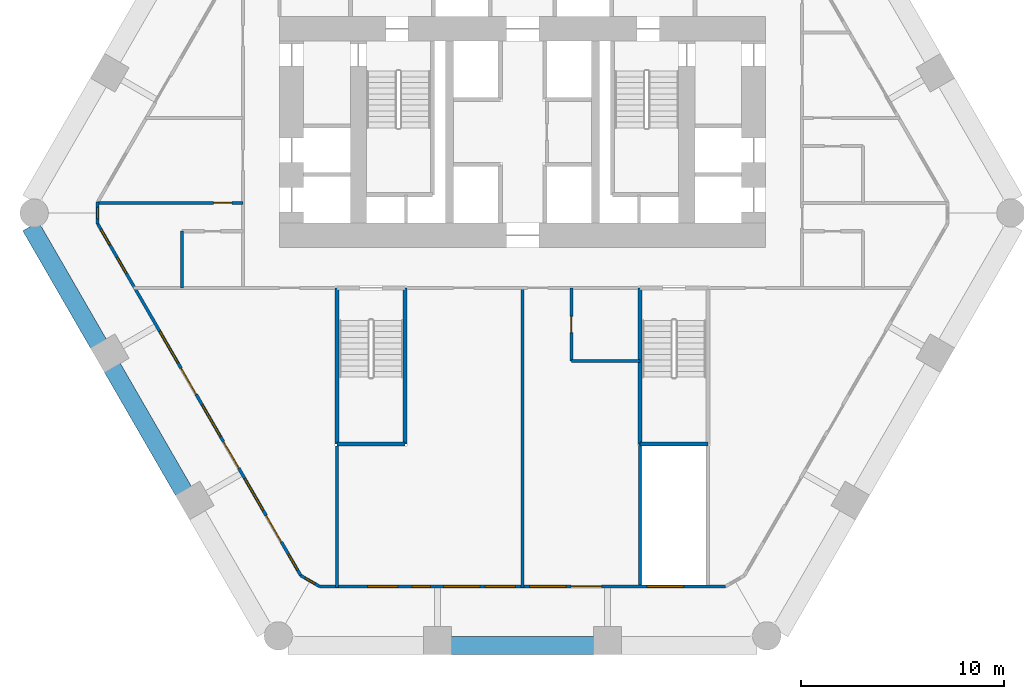
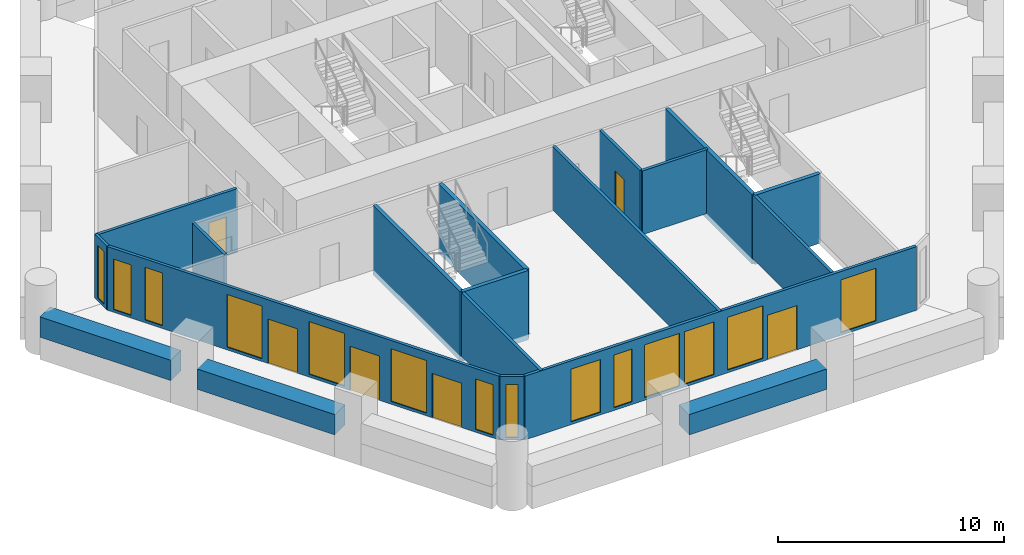
# One storey, part 2 of 8: 19 walls, 14 windows, 6 doors, 20 openings.
"""IFC4 building model written with IfcOpenShell, lengths in metres."""

from ifc_helpers import new_model, si_unit, direction, frame, frame_2d, origin, place, context, subcontext, project, spatial, rectangle, extrude, material, layer, layer_set, type_object, element, fill, save


model = new_model("IFC4")

# Units and contexts
model_context = context("Model", 3, precision=1e-05, world=origin(), true_north=direction((0.0, 1.0)))
body_context = subcontext(model_context, "Body", "Model", "MODEL_VIEW")
ifc_project = project(units=[si_unit("LENGTHUNIT", "METRE"), si_unit("AREAUNIT", "SQUARE_METRE"), si_unit("VOLUMEUNIT", "CUBIC_METRE"), si_unit("PLANEANGLEUNIT", "RADIAN"), si_unit("MASSUNIT", "GRAM", prefix="KILO")], contexts=[model_context])

# Site, building, storey
site_placement = place(None, origin())
site = spatial("IfcSite", under=ifc_project, at=site_placement, CompositionType="ELEMENT")
building_placement = place(site_placement, origin())
building = spatial("IfcBuilding", under=site, at=building_placement, Name="Ostrander Bayou Hotel Tower", CompositionType="ELEMENT")
storey_placement = place(building_placement, frame((0.0, 0.0, 28.0)))
storey = spatial("IfcBuildingStorey", under=building, at=storey_placement, Name="L06", CompositionType="ELEMENT", Elevation=28.0)

# Wall, openings, doors, windows
ifc_material_1 = material(Name="Aluminium framed insulated wall", Category="aluminium")
ifc_layer_1 = layer(ifc_material_1, 0.14990234375)
ifc_layer_set_1 = layer_set([ifc_layer_1], Name="GW1 glass-line wall 150 mm")
wall_type_1 = type_object("IfcWallType", Name="GW1 glass-line wall 150 mm", PredefinedType="SOLIDWALL", material=ifc_layer_set_1)
wall_1_placement = place(storey_placement, frame((-20.968017578125, -0.532470703125, 0.0), z_axis=(0.0, 0.0, 1.0), x_axis=(0.500003237297, -0.866023534722, 0.0)))
wall_1 = element("IfcWall", 1, at=wall_1_placement, inside=storey, type_object=wall_type_1, Name="GW1 L06 SW 1", PredefinedType="SOLIDWALL", context=body_context, shape_type="SweptSolid", body=[
    extrude(rectangle(XDim=20.045654296875, YDim=0.14990234375, at=frame_2d((10.02294921875, 0.0))), origin(), (0.0, 0.0, 1.0), 3.449951171875),
])
opening_1_placement = place(wall_1_placement, frame((1.9228515625, 0.0, 0.14990234375)))
opening_1 = element("IfcOpeningElement", 2, at=opening_1_placement, cuts=wall_1, Name="Opening W15", PredefinedType="OPENING", context=body_context, shape_type="SweptSolid", body=[
    extrude(rectangle(XDim=0.89990234375, YDim=2.85009765625, at=frame_2d((0.449951171875, 1.425048828125))), frame((0.0, 0.074951171875, 0.0), z_axis=(0.0, -1.0, 0.0), x_axis=(1.0, 0.0, 0.0)), (0.0, 0.0, 1.0), 0.14990234375),
])
opening_2_placement = place(wall_1_placement, frame((6.122802734375, 0.0, 0.14990234375)))
opening_2 = element("IfcOpeningElement", 3, at=opening_2_placement, cuts=wall_1, Name="Opening W1", PredefinedType="OPENING", context=body_context, shape_type="SweptSolid", body=[
    extrude(rectangle(XDim=1.800048828125, YDim=2.85009765625, at=frame_2d((0.89990234375, 1.425048828125))), frame((0.0, 0.074951171875, 0.0), z_axis=(0.0, -1.0, 0.0), x_axis=(1.0, 0.0, 0.0)), (0.0, 0.0, 1.0), 0.14990234375),
])
opening_3_placement = place(wall_1_placement, frame((8.222900390625, 0.0, 0.0)))
opening_3 = element("IfcOpeningElement", 4, at=opening_3_placement, cuts=wall_1, Name="Opening T06-801", PredefinedType="OPENING", context=body_context, shape_type="SweptSolid", body=[
    extrude(rectangle(XDim=1.5, YDim=2.39990234375, at=frame_2d((0.75, 1.199951171875))), frame((0.0, 0.074951171875, 0.0), z_axis=(0.0, -1.0, 0.0), x_axis=(1.0, 0.0, 0.0)), (0.0, 0.0, 1.0), 0.14990234375),
])
opening_4_placement = place(wall_1_placement, frame((10.32275390625, 0.0, 0.14990234375)))
opening_4 = element("IfcOpeningElement", 5, at=opening_4_placement, cuts=wall_1, Name="Opening W1", PredefinedType="OPENING", context=body_context, shape_type="SweptSolid", body=[
    extrude(rectangle(XDim=1.800048828125, YDim=2.85009765625, at=frame_2d((0.89990234375, 1.425048828125))), frame((0.0, 0.074951171875, 0.0), z_axis=(0.0, -1.0, 0.0), x_axis=(1.0, 0.0, 0.0)), (0.0, 0.0, 1.0), 0.14990234375),
])
opening_5_placement = place(wall_1_placement, frame((12.4228515625, 0.0, 0.0)))
opening_5 = element("IfcOpeningElement", 6, at=opening_5_placement, cuts=wall_1, Name="Opening T06-802", PredefinedType="OPENING", context=body_context, shape_type="SweptSolid", body=[
    extrude(rectangle(XDim=1.5, YDim=2.39990234375, at=frame_2d((0.75, 1.199951171875))), frame((0.0, 0.074951171875, 0.0), z_axis=(0.0, -1.0, 0.0), x_axis=(1.0, 0.0, 0.0)), (0.0, 0.0, 1.0), 0.14990234375),
])
opening_6_placement = place(wall_1_placement, frame((14.522705078125, 0.0, 0.14990234375)))
opening_6 = element("IfcOpeningElement", 7, at=opening_6_placement, cuts=wall_1, Name="Opening W1", PredefinedType="OPENING", context=body_context, shape_type="SweptSolid", body=[
    extrude(rectangle(XDim=1.800048828125, YDim=2.85009765625, at=frame_2d((0.89990234375, 1.425048828125))), frame((0.0, 0.074951171875, 0.0), z_axis=(0.0, -1.0, 0.0), x_axis=(1.0, 0.0, 0.0)), (0.0, 0.0, 1.0), 0.14990234375),
])
opening_7_placement = place(wall_1_placement, frame((16.622802734375, 0.0, 0.0)))
opening_7 = element("IfcOpeningElement", 8, at=opening_7_placement, cuts=wall_1, Name="Opening T06-803", PredefinedType="OPENING", context=body_context, shape_type="SweptSolid", body=[
    extrude(rectangle(XDim=1.5, YDim=2.39990234375, at=frame_2d((0.75, 1.199951171875))), frame((0.0, 0.074951171875, 0.0), z_axis=(0.0, -1.0, 0.0), x_axis=(1.0, 0.0, 0.0)), (0.0, 0.0, 1.0), 0.14990234375),
])
opening_8_placement = place(wall_1_placement, frame((0.311279296875, 0.0, 0.14990234375)))
opening_8 = element("IfcOpeningElement", 9, at=opening_8_placement, cuts=wall_1, Name="Opening W15", PredefinedType="OPENING", context=body_context, shape_type="SweptSolid", body=[
    extrude(rectangle(XDim=0.89990234375, YDim=2.72998046875, at=frame_2d((0.449951171875, 1.364990234375))), frame((0.0, 0.074951171875, 0.0), z_axis=(0.0, -1.0, 0.0), x_axis=(1.0, 0.0, 0.0)), (0.0, 0.0, 1.0), 0.14990234375),
])
opening_9_placement = place(wall_1_placement, frame((18.834228515625, 0.0, 0.14990234375)))
opening_9 = element("IfcOpeningElement", 10, at=opening_9_placement, cuts=wall_1, Name="Opening W15", PredefinedType="OPENING", context=body_context, shape_type="SweptSolid", body=[
    extrude(rectangle(XDim=0.89990234375, YDim=2.72998046875, at=frame_2d((0.449951171875, 1.364990234375))), frame((0.0, 0.074951171875, 0.0), z_axis=(0.0, -1.0, 0.0), x_axis=(1.0, 0.0, 0.0)), (0.0, 0.0, 1.0), 0.14990234375),
])
ifc_material_2 = material(Name="Aluminium and clear glass", Category="aluminium")
door_type_1 = type_object("IfcDoorType", Name="SD1 sliding glass door 1500 mm, zone 1", OperationType="SLIDING_TO_LEFT", PredefinedType="DOOR", material=ifc_material_2)
door_1_placement = place(opening_3_placement, origin())
door_1 = element("IfcDoor", 11, at=door_1_placement, inside=storey, type_object=door_type_1, Name="SD1 L06 SW 2", OperationType="SLIDING_TO_RIGHT", OverallHeight=2.39990234375, OverallWidth=1.5, PredefinedType="DOOR", context=body_context, shape_type="SweptSolid", body=[
    extrude(rectangle(XDim=1.5, YDim=2.39990234375, at=frame_2d((0.75, 1.199951171875))), frame((0.0, 0.02490234375, 0.0), z_axis=(0.0, -1.0, 0.0), x_axis=(1.0, 0.0, 0.0)), (0.0, 0.0, 1.0), 0.050048828125),
])
fill(opening_3, door_1)
door_2_placement = place(opening_5_placement, origin())
door_2 = element("IfcDoor", 12, at=door_2_placement, inside=storey, type_object=door_type_1, Name="SD1 L06 SW 3", OperationType="SLIDING_TO_LEFT", OverallHeight=2.39990234375, OverallWidth=1.5, PredefinedType="DOOR", context=body_context, shape_type="SweptSolid", body=[
    extrude(rectangle(XDim=1.5, YDim=2.39990234375, at=frame_2d((0.75, 1.199951171875))), frame((0.0, 0.02490234375, 0.0), z_axis=(0.0, -1.0, 0.0), x_axis=(1.0, 0.0, 0.0)), (0.0, 0.0, 1.0), 0.050048828125),
])
fill(opening_5, door_2)
door_3_placement = place(opening_7_placement, origin())
door_3 = element("IfcDoor", 13, at=door_3_placement, inside=storey, type_object=door_type_1, Name="SD1 L06 SW 4", OperationType="SLIDING_TO_RIGHT", OverallHeight=2.39990234375, OverallWidth=1.5, PredefinedType="DOOR", context=body_context, shape_type="SweptSolid", body=[
    extrude(rectangle(XDim=1.5, YDim=2.39990234375, at=frame_2d((0.75, 1.199951171875))), frame((0.0, 0.02490234375, 0.0), z_axis=(0.0, -1.0, 0.0), x_axis=(1.0, 0.0, 0.0)), (0.0, 0.0, 1.0), 0.050048828125),
])
fill(opening_7, door_3)
ifc_material_3 = material(Name="Aluminium and clear glass", Category="aluminium")
window_type_1 = type_object("IfcWindowType", Name="W1 fixed window 1800 mm, zone 1", PartitioningType="SINGLE_PANEL", PredefinedType="WINDOW", material=ifc_material_3)
window_1_placement = place(opening_2_placement, origin())
window_1 = element("IfcWindow", 14, at=window_1_placement, inside=storey, type_object=window_type_1, Name="W1 L06 SW 2", OverallHeight=2.85009765625, OverallWidth=1.800048828125, PartitioningType="SINGLE_PANEL", PredefinedType="WINDOW", context=body_context, shape_type="SweptSolid", body=[
    extrude(rectangle(XDim=1.800048828125, YDim=2.85009765625, at=frame_2d((0.89990234375, 1.425048828125))), frame((0.0, 0.030029296875, 0.0), z_axis=(0.0, -1.0, 0.0), x_axis=(1.0, 0.0, 0.0)), (0.0, 0.0, 1.0), 0.06005859375),
])
fill(opening_2, window_1)
window_2_placement = place(opening_4_placement, origin())
window_2 = element("IfcWindow", 15, at=window_2_placement, inside=storey, type_object=window_type_1, Name="W1 L06 SW 3", OverallHeight=2.85009765625, OverallWidth=1.800048828125, PartitioningType="SINGLE_PANEL", PredefinedType="WINDOW", context=body_context, shape_type="SweptSolid", body=[
    extrude(rectangle(XDim=1.800048828125, YDim=2.85009765625, at=frame_2d((0.89990234375, 1.425048828125))), frame((0.0, 0.030029296875, 0.0), z_axis=(0.0, -1.0, 0.0), x_axis=(1.0, 0.0, 0.0)), (0.0, 0.0, 1.0), 0.06005859375),
])
fill(opening_4, window_2)
window_3_placement = place(opening_6_placement, origin())
window_3 = element("IfcWindow", 16, at=window_3_placement, inside=storey, type_object=window_type_1, Name="W1 L06 SW 4", OverallHeight=2.85009765625, OverallWidth=1.800048828125, PartitioningType="SINGLE_PANEL", PredefinedType="WINDOW", context=body_context, shape_type="SweptSolid", body=[
    extrude(rectangle(XDim=1.800048828125, YDim=2.85009765625, at=frame_2d((0.89990234375, 1.425048828125))), frame((0.0, 0.030029296875, 0.0), z_axis=(0.0, -1.0, 0.0), x_axis=(1.0, 0.0, 0.0)), (0.0, 0.0, 1.0), 0.06005859375),
])
fill(opening_6, window_3)
ifc_material_4 = material(Name="Aluminium and clear glass", Category="aluminium")
window_type_2 = type_object("IfcWindowType", Name="W15 window 900 mm, zone 1", PartitioningType="SINGLE_PANEL", PredefinedType="WINDOW", material=ifc_material_4)
window_4_placement = place(opening_1_placement, origin())
window_4 = element("IfcWindow", 17, at=window_4_placement, inside=storey, type_object=window_type_2, Name="W15 L06 SW 1", OverallHeight=2.85009765625, OverallWidth=0.89990234375, PartitioningType="SINGLE_PANEL", PredefinedType="WINDOW", context=body_context, shape_type="SweptSolid", body=[
    extrude(rectangle(XDim=0.89990234375, YDim=2.85009765625, at=frame_2d((0.449951171875, 1.425048828125))), frame((0.0, 0.030029296875, 0.0), z_axis=(0.0, -1.0, 0.0), x_axis=(1.0, 0.0, 0.0)), (0.0, 0.0, 1.0), 0.06005859375),
])
fill(opening_1, window_4)
window_5_placement = place(opening_8_placement, origin())
window_5 = element("IfcWindow", 18, at=window_5_placement, inside=storey, type_object=window_type_2, Name="W15 L06 SW E11", OverallHeight=2.72998046875, OverallWidth=0.89990234375, PartitioningType="SINGLE_PANEL", PredefinedType="WINDOW", context=body_context, shape_type="SweptSolid", body=[
    extrude(rectangle(XDim=0.89990234375, YDim=2.72998046875, at=frame_2d((0.449951171875, 1.364990234375))), frame((0.0, 0.030029296875, 0.0), z_axis=(0.0, -1.0, 0.0), x_axis=(1.0, 0.0, 0.0)), (0.0, 0.0, 1.0), 0.06005859375),
])
fill(opening_8, window_5)
window_6_placement = place(opening_9_placement, origin())
window_6 = element("IfcWindow", 19, at=window_6_placement, inside=storey, type_object=window_type_2, Name="W15 L06 SW E21", OverallHeight=2.72998046875, OverallWidth=0.89990234375, PartitioningType="SINGLE_PANEL", PredefinedType="WINDOW", context=body_context, shape_type="SweptSolid", body=[
    extrude(rectangle(XDim=0.89990234375, YDim=2.72998046875, at=frame_2d((0.449951171875, 1.364990234375))), frame((0.0, 0.030029296875, 0.0), z_axis=(0.0, -1.0, 0.0), x_axis=(1.0, 0.0, 0.0)), (0.0, 0.0, 1.0), 0.06005859375),
])
fill(opening_9, window_6)

# Wall, openings, door, windows
wall_2_placement = place(storey_placement, frame((-10.022705078125, -18.425048828125, 0.0), z_axis=(0.0, 0.0, 1.0), x_axis=(1.0, 0.0, 0.0)))
wall_2 = element("IfcWall", 20, at=wall_2_placement, inside=storey, type_object=wall_type_1, Name="GW1 L06 S 1", PredefinedType="SOLIDWALL", context=body_context, shape_type="SweptSolid", body=[
    extrude(rectangle(XDim=20.04541015625, YDim=0.14990234375, at=frame_2d((10.022705078125, 0.0))), origin(), (0.0, 0.0, 1.0), 3.449951171875),
])
opening_10_placement = place(wall_2_placement, frame((4.57275390625, 0.0, 0.14990234375)))
opening_10 = element("IfcOpeningElement", 21, at=opening_10_placement, cuts=wall_2, Name="Opening W15", PredefinedType="OPENING", context=body_context, shape_type="SweptSolid", body=[
    extrude(rectangle(XDim=0.89990234375, YDim=2.85009765625, at=frame_2d((0.449951171875, 1.425048828125))), frame((0.0, 0.074951171875, 0.0), z_axis=(0.0, -1.0, 0.0), x_axis=(1.0, 0.0, 0.0)), (0.0, 0.0, 1.0), 0.14990234375),
])
opening_11_placement = place(wall_2_placement, frame((2.372802734375, 0.0, 0.14990234375)))
opening_11 = element("IfcOpeningElement", 22, at=opening_11_placement, cuts=wall_2, Name="Opening W11", PredefinedType="OPENING", context=body_context, shape_type="SweptSolid", body=[
    extrude(rectangle(XDim=1.5, YDim=2.85009765625, at=frame_2d((0.75, 1.425048828125))), frame((0.0, 0.074951171875, 0.0), z_axis=(0.0, -1.0, 0.0), x_axis=(1.0, 0.0, 0.0)), (0.0, 0.0, 1.0), 0.14990234375),
])
opening_12_placement = place(wall_2_placement, frame((6.122802734375, 0.0, 0.14990234375)))
opening_12 = element("IfcOpeningElement", 23, at=opening_12_placement, cuts=wall_2, Name="Opening W1", PredefinedType="OPENING", context=body_context, shape_type="SweptSolid", body=[
    extrude(rectangle(XDim=1.800048828125, YDim=2.85009765625, at=frame_2d((0.89990234375, 1.425048828125))), frame((0.0, 0.074951171875, 0.0), z_axis=(0.0, -1.0, 0.0), x_axis=(1.0, 0.0, 0.0)), (0.0, 0.0, 1.0), 0.14990234375),
])
opening_13_placement = place(wall_2_placement, frame((8.1728515625, 0.0, 0.14990234375)))
opening_13 = element("IfcOpeningElement", 24, at=opening_13_placement, cuts=wall_2, Name="Opening W11", PredefinedType="OPENING", context=body_context, shape_type="SweptSolid", body=[
    extrude(rectangle(XDim=1.5, YDim=2.85009765625, at=frame_2d((0.75, 1.425048828125))), frame((0.0, 0.074951171875, 0.0), z_axis=(0.0, -1.0, 0.0), x_axis=(1.0, 0.0, 0.0)), (0.0, 0.0, 1.0), 0.14990234375),
])
opening_14_placement = place(wall_2_placement, frame((10.372802734375, 0.0, 0.14990234375)))
opening_14 = element("IfcOpeningElement", 25, at=opening_14_placement, cuts=wall_2, Name="Opening W1", PredefinedType="OPENING", context=body_context, shape_type="SweptSolid", body=[
    extrude(rectangle(XDim=1.800048828125, YDim=2.85009765625, at=frame_2d((0.89990234375, 1.425048828125))), frame((0.0, 0.074951171875, 0.0), z_axis=(0.0, -1.0, 0.0), x_axis=(1.0, 0.0, 0.0)), (0.0, 0.0, 1.0), 0.14990234375),
])
opening_15_placement = place(wall_2_placement, frame((12.4228515625, 0.0, 0.0)))
opening_15 = element("IfcOpeningElement", 26, at=opening_15_placement, cuts=wall_2, Name="Opening T06-804", PredefinedType="OPENING", context=body_context, shape_type="SweptSolid", body=[
    extrude(rectangle(XDim=1.5, YDim=2.39990234375, at=frame_2d((0.75, 1.199951171875))), frame((0.0, 0.074951171875, 0.0), z_axis=(0.0, -1.0, 0.0), x_axis=(1.0, 0.0, 0.0)), (0.0, 0.0, 1.0), 0.14990234375),
])
opening_16_placement = place(wall_2_placement, frame((16.1728515625, 0.0, 0.14990234375)))
opening_16 = element("IfcOpeningElement", 27, at=opening_16_placement, cuts=wall_2, Name="Opening W1", PredefinedType="OPENING", context=body_context, shape_type="SweptSolid", body=[
    extrude(rectangle(XDim=1.800048828125, YDim=2.85009765625, at=frame_2d((0.89990234375, 1.425048828125))), frame((0.0, 0.074951171875, 0.0), z_axis=(0.0, -1.0, 0.0), x_axis=(1.0, 0.0, 0.0)), (0.0, 0.0, 1.0), 0.14990234375),
])
door_4_placement = place(opening_15_placement, origin())
door_4 = element("IfcDoor", 28, at=door_4_placement, inside=storey, type_object=door_type_1, Name="SD1 L06 S 3", OperationType="SLIDING_TO_LEFT", OverallHeight=2.39990234375, OverallWidth=1.5, PredefinedType="DOOR", context=body_context, shape_type="SweptSolid", body=[
    extrude(rectangle(XDim=1.5, YDim=2.39990234375, at=frame_2d((0.75, 1.199951171875))), frame((0.0, 0.02490234375, 0.0), z_axis=(0.0, -1.0, 0.0), x_axis=(1.0, 0.0, 0.0)), (0.0, 0.0, 1.0), 0.050048828125),
])
fill(opening_15, door_4)
window_7_placement = place(opening_12_placement, origin())
window_7 = element("IfcWindow", 29, at=window_7_placement, inside=storey, type_object=window_type_1, Name="W1 L06 S 2", OverallHeight=2.85009765625, OverallWidth=1.800048828125, PartitioningType="SINGLE_PANEL", PredefinedType="WINDOW", context=body_context, shape_type="SweptSolid", body=[
    extrude(rectangle(XDim=1.800048828125, YDim=2.85009765625, at=frame_2d((0.89990234375, 1.425048828125))), frame((0.0, 0.030029296875, 0.0), z_axis=(0.0, -1.0, 0.0), x_axis=(1.0, 0.0, 0.0)), (0.0, 0.0, 1.0), 0.06005859375),
])
fill(opening_12, window_7)
window_8_placement = place(opening_14_placement, origin())
window_8 = element("IfcWindow", 30, at=window_8_placement, inside=storey, type_object=window_type_1, Name="W1 L06 S 3", OverallHeight=2.85009765625, OverallWidth=1.800048828125, PartitioningType="SINGLE_PANEL", PredefinedType="WINDOW", context=body_context, shape_type="SweptSolid", body=[
    extrude(rectangle(XDim=1.800048828125, YDim=2.85009765625, at=frame_2d((0.89990234375, 1.425048828125))), frame((0.0, 0.030029296875, 0.0), z_axis=(0.0, -1.0, 0.0), x_axis=(1.0, 0.0, 0.0)), (0.0, 0.0, 1.0), 0.06005859375),
])
fill(opening_14, window_8)
window_9_placement = place(opening_16_placement, origin())
window_9 = element("IfcWindow", 31, at=window_9_placement, inside=storey, type_object=window_type_1, Name="W1 L06 S 4", OverallHeight=2.85009765625, OverallWidth=1.800048828125, PartitioningType="SINGLE_PANEL", PredefinedType="WINDOW", context=body_context, shape_type="SweptSolid", body=[
    extrude(rectangle(XDim=1.800048828125, YDim=2.85009765625, at=frame_2d((0.89990234375, 1.425048828125))), frame((0.0, 0.030029296875, 0.0), z_axis=(0.0, -1.0, 0.0), x_axis=(1.0, 0.0, 0.0)), (0.0, 0.0, 1.0), 0.06005859375),
])
fill(opening_16, window_9)
ifc_material_5 = material(Name="Aluminium and clear glass", Category="aluminium")
window_type_3 = type_object("IfcWindowType", Name="W11 fixed window 1500 mm, bath bay, zone 1", PartitioningType="SINGLE_PANEL", PredefinedType="WINDOW", material=ifc_material_5)
window_10_placement = place(opening_11_placement, origin())
window_10 = element("IfcWindow", 32, at=window_10_placement, inside=storey, type_object=window_type_3, Name="W11 L06 S 1", OverallHeight=2.85009765625, OverallWidth=1.5, PartitioningType="SINGLE_PANEL", PredefinedType="WINDOW", context=body_context, shape_type="SweptSolid", body=[
    extrude(rectangle(XDim=1.5, YDim=2.85009765625, at=frame_2d((0.75, 1.425048828125))), frame((0.0, 0.030029296875, 0.0), z_axis=(0.0, -1.0, 0.0), x_axis=(1.0, 0.0, 0.0)), (0.0, 0.0, 1.0), 0.06005859375),
])
fill(opening_11, window_10)
window_11_placement = place(opening_13_placement, origin())
window_11 = element("IfcWindow", 33, at=window_11_placement, inside=storey, type_object=window_type_3, Name="W11 L06 S 2", OverallHeight=2.85009765625, OverallWidth=1.5, PartitioningType="SINGLE_PANEL", PredefinedType="WINDOW", context=body_context, shape_type="SweptSolid", body=[
    extrude(rectangle(XDim=1.5, YDim=2.85009765625, at=frame_2d((0.75, 1.425048828125))), frame((0.0, 0.030029296875, 0.0), z_axis=(0.0, -1.0, 0.0), x_axis=(1.0, 0.0, 0.0)), (0.0, 0.0, 1.0), 0.06005859375),
])
fill(opening_13, window_11)
window_12_placement = place(opening_10_placement, origin())
window_12 = element("IfcWindow", 34, at=window_12_placement, inside=storey, type_object=window_type_2, Name="W15 L06 S 1", OverallHeight=2.85009765625, OverallWidth=0.89990234375, PartitioningType="SINGLE_PANEL", PredefinedType="WINDOW", context=body_context, shape_type="SweptSolid", body=[
    extrude(rectangle(XDim=0.89990234375, YDim=2.85009765625, at=frame_2d((0.449951171875, 1.425048828125))), frame((0.0, 0.030029296875, 0.0), z_axis=(0.0, -1.0, 0.0), x_axis=(1.0, 0.0, 0.0)), (0.0, 0.0, 1.0), 0.06005859375),
])
fill(opening_10, window_12)

# Wall, opening, window
wall_3_placement = place(storey_placement, frame((-20.968017578125, 0.532470703125, 0.0), z_axis=(0.0, 0.0, 1.0), x_axis=(0.0, -1.0, 0.0)))
wall_3 = element("IfcWall", 35, at=wall_3_placement, inside=storey, type_object=wall_type_1, Name="GW1 L06 corner 2", PredefinedType="SOLIDWALL", context=body_context, shape_type="SweptSolid", body=[
    extrude(rectangle(XDim=1.06494140625, YDim=0.14990234375, at=frame_2d((0.532470703125, 0.0))), origin(), (0.0, 0.0, 1.0), 3.449951171875),
])
opening_17_placement = place(wall_3_placement, frame((0.257568359375, 0.0, 0.14990234375)))
opening_17 = element("IfcOpeningElement", 36, at=opening_17_placement, cuts=wall_3, Name="Opening W19", PredefinedType="OPENING", context=body_context, shape_type="SweptSolid", body=[
    extrude(rectangle(XDim=0.550048828125, YDim=2.85009765625, at=frame_2d((0.27490234375, 1.425048828125))), frame((0.0, 0.074951171875, 0.0), z_axis=(0.0, -1.0, 0.0), x_axis=(1.0, 0.0, 0.0)), (0.0, 0.0, 1.0), 0.14990234375),
])
ifc_material_6 = material(Name="Aluminium and clear glass", Category="aluminium")
window_type_4 = type_object("IfcWindowType", Name="W19 corner window 550 mm", PartitioningType="SINGLE_PANEL", PredefinedType="WINDOW", material=ifc_material_6)
window_13_placement = place(opening_17_placement, origin())
window_13 = element("IfcWindow", 37, at=window_13_placement, inside=storey, type_object=window_type_4, Name="W19 L06 corner 2", OverallHeight=2.85009765625, OverallWidth=0.550048828125, PartitioningType="SINGLE_PANEL", PredefinedType="WINDOW", context=body_context, shape_type="SweptSolid", body=[
    extrude(rectangle(XDim=0.550048828125, YDim=2.85009765625, at=frame_2d((0.27490234375, 1.425048828125))), frame((0.0, 0.030029296875, 0.0), z_axis=(0.0, -1.0, 0.0), x_axis=(1.0, 0.0, 0.0)), (0.0, 0.0, 1.0), 0.06005859375),
])
fill(opening_17, window_13)

wall_4_placement = place(storey_placement, frame((-10.945068359375, -17.892578125, 0.0), z_axis=(0.0, 0.0, 1.0), x_axis=(0.866048165231, -0.499960573946, 0.0)))
wall_4 = element("IfcWall", 38, at=wall_4_placement, inside=storey, type_object=wall_type_1, Name="GW1 L06 corner 3", PredefinedType="SOLIDWALL", context=body_context, shape_type="SweptSolid", body=[
    extrude(rectangle(XDim=1.06494140625, YDim=0.14990234375, at=frame_2d((0.532470703125, 0.0))), origin(), (0.0, 0.0, 1.0), 3.449951171875),
])
opening_18_placement = place(wall_4_placement, frame((0.257568359375, 0.0, 0.14990234375)))
opening_18 = element("IfcOpeningElement", 39, at=opening_18_placement, cuts=wall_4, Name="Opening W19", PredefinedType="OPENING", context=body_context, shape_type="SweptSolid", body=[
    extrude(rectangle(XDim=0.550048828125, YDim=2.85009765625, at=frame_2d((0.27490234375, 1.425048828125))), frame((0.0, 0.074951171875, 0.0), z_axis=(0.0, -1.0, 0.0), x_axis=(1.0, 0.0, 0.0)), (0.0, 0.0, 1.0), 0.14990234375),
])
window_14_placement = place(opening_18_placement, origin())
window_14 = element("IfcWindow", 40, at=window_14_placement, inside=storey, type_object=window_type_4, Name="W19 L06 corner 3", OverallHeight=2.85009765625, OverallWidth=0.550048828125, PartitioningType="SINGLE_PANEL", PredefinedType="WINDOW", context=body_context, shape_type="SweptSolid", body=[
    extrude(rectangle(XDim=0.550048828125, YDim=2.85009765625, at=frame_2d((0.27490234375, 1.425048828125))), frame((0.0, 0.030029296875, 0.0), z_axis=(0.0, -1.0, 0.0), x_axis=(1.0, 0.0, 0.0)), (0.0, 0.0, 1.0), 0.06005859375),
])
fill(opening_18, window_14)

# Walls
ifc_material_7 = material(Name="Concrete f'c 40 MPa", Category="concrete")
ifc_layer_2 = layer(ifc_material_7, 0.89990234375)
ifc_layer_set_2 = layer_set([ifc_layer_2], Name="PA1 stone-faced parapet 900 mm")
wall_type_2 = type_object("IfcWallType", Name="PA1 stone-faced parapet 900 mm", PredefinedType="PARAPET", material=ifc_layer_set_2)
wall_5_placement = place(storey_placement, frame((-3.525390625, -21.35009765625, 0.0), z_axis=(0.0, 0.0, 1.0), x_axis=(1.0, 0.0, 0.0)))
element("IfcWall", 41, at=wall_5_placement, inside=storey, type_object=wall_type_2, Name="PA1 L06 S-2", PredefinedType="PARAPET", context=body_context, shape_type="SweptSolid", body=[
    extrude(rectangle(XDim=7.05078125, YDim=0.89990234375, at=frame_2d((3.525390625, 0.0))), origin(), (0.0, 0.0, 1.0), 1.10009765625),
])
ifc_material_8 = material(Name="Limestone masonry", Category="masonry")
ifc_layer_3 = layer(ifc_material_8, 0.89990234375)
ifc_layer_set_3 = layer_set([ifc_layer_3], Name="PA2 limestone parapet 900 mm")
wall_type_3 = type_object("IfcWallType", Name="PA2 limestone parapet 900 mm", PredefinedType="PARAPET", material=ifc_layer_set_3)
wall_6_placement = place(storey_placement, frame((-24.274169921875, -0.656005859375, 0.0), z_axis=(0.0, 0.0, 1.0), x_axis=(0.500005133765, -0.866022439784, 0.0)))
element("IfcWall", 42, at=wall_6_placement, inside=storey, type_object=wall_type_3, Name="PA2 L06 SW-1", PredefinedType="PARAPET", context=body_context, shape_type="SweptSolid", body=[
    extrude(rectangle(XDim=6.70361328125, YDim=0.89990234375, at=frame_2d((3.351806640625, 0.0))), origin(), (0.0, 0.0, 1.0), 1.10009765625),
])
wall_7_placement = place(storey_placement, frame((-20.252197265625, -7.621826171875, 0.0), z_axis=(0.0, 0.0, 1.0), x_axis=(0.499997206141, -0.866027016814, 0.0)))
element("IfcWall", 43, at=wall_7_placement, inside=storey, type_object=wall_type_3, Name="PA2 L06 SW-2", PredefinedType="PARAPET", context=body_context, shape_type="SweptSolid", body=[
    extrude(rectangle(XDim=7.05078125, YDim=0.89990234375, at=frame_2d((3.525390625, 0.0))), origin(), (0.0, 0.0, 1.0), 1.10009765625),
])
ifc_material_9 = material(Name="Gypsum board partition", Category="finish")
ifc_layer_4 = layer(ifc_material_9, 0.14990234375)
ifc_layer_set_4 = layer_set([ifc_layer_4], Name="PT7 riser wall 150 mm, 2 hour")
wall_type_4 = type_object("IfcWallType", Name="PT7 riser wall 150 mm, 2 hour", PredefinedType="PARTITIONING", material=ifc_layer_set_4)
wall_8_placement = place(storey_placement, frame((5.800048828125, -11.39990234375, 0.0), z_axis=(0.0, 0.0, 1.0), x_axis=(0.0, -1.0, 0.0)))
element("IfcWall", 44, at=wall_8_placement, inside=storey, type_object=wall_type_4, Name="cs:L06:019", PredefinedType="PARTITIONING", context=body_context, shape_type="SweptSolid", body=[
    extrude(rectangle(XDim=6.9501953125, YDim=0.14990234375, at=frame_2d((3.47509765625, 0.0))), origin(), (0.0, 0.0, 1.0), 3.449951171875),
])
ifc_material_10 = material(Name="Gypsum board partition", Category="finish")
ifc_layer_5 = layer(ifc_material_10, 0.14990234375)
ifc_layer_set_5 = layer_set([ifc_layer_5], Name="PT8 service band wall 150 mm, 1 hour")
wall_type_5 = type_object("IfcWallType", Name="PT8 service band wall 150 mm, 1 hour", PredefinedType="PARTITIONING", material=ifc_layer_set_5)
wall_9_placement = place(storey_placement, frame((2.409912109375, -7.300048828125, 0.0), z_axis=(0.0, 0.0, 1.0), x_axis=(1.0, 0.0, 0.0)))
element("IfcWall", 45, at=wall_9_placement, inside=storey, type_object=wall_type_5, Name="gw:L06:001", PredefinedType="PARTITIONING", context=body_context, shape_type="SweptSolid", body=[
    extrude(rectangle(XDim=3.380126953125, YDim=0.14990234375, at=frame_2d((1.68994140625, 0.0))), origin(), (0.0, 0.0, 1.0), 3.449951171875),
])

# Wall, opening, door
wall_10_placement = place(storey_placement, frame((-20.986083984375, 0.5, 0.0), z_axis=(0.0, 0.0, 1.0), x_axis=(1.0, 0.0, 0.0)))
wall_10 = element("IfcWall", 46, at=wall_10_placement, inside=storey, type_object=wall_type_5, Name="gw:L06:007", PredefinedType="PARTITIONING", context=body_context, shape_type="SweptSolid", body=[
    extrude(rectangle(XDim=7.18603515625, YDim=0.14990234375, at=frame_2d((3.593017578125, 0.0))), origin(), (0.0, 0.0, 1.0), 3.449951171875),
])
opening_19_placement = place(wall_10_placement, frame((5.736083984375, 0.0, 0.0)))
opening_19 = element("IfcOpeningElement", 47, at=opening_19_placement, cuts=wall_10, Name="Opening T06-406", PredefinedType="OPENING", context=body_context, shape_type="SweptSolid", body=[
    extrude(rectangle(XDim=0.89990234375, YDim=2.10009765625, at=frame_2d((0.449951171875, 1.050048828125))), frame((0.0, 0.074951171875, 0.0), z_axis=(0.0, -1.0, 0.0), x_axis=(1.0, 0.0, 0.0)), (0.0, 0.0, 1.0), 0.14990234375),
])
ifc_material_11 = material(Name="Timber door leaf", Category="wood")
door_type_2 = type_object("IfcDoorType", Name="D8 room door 900 x 2100 mm", OperationType="SINGLE_SWING_LEFT", PredefinedType="DOOR", material=ifc_material_11)
door_5_placement = place(opening_19_placement, origin())
door_5 = element("IfcDoor", 48, at=door_5_placement, inside=storey, type_object=door_type_2, Name="dr:L06:406", OperationType="SINGLE_SWING_RIGHT", OverallHeight=2.10009765625, OverallWidth=0.89990234375, PredefinedType="DOOR", context=body_context, shape_type="SweptSolid", body=[
    extrude(rectangle(XDim=0.89990234375, YDim=2.10009765625, at=frame_2d((0.449951171875, 1.050048828125))), frame((0.0, 0.02490234375, 0.0), z_axis=(0.0, -1.0, 0.0), x_axis=(1.0, 0.0, 0.0)), (0.0, 0.0, 1.0), 0.050048828125),
])
fill(opening_19, door_5)

wall_11_placement = place(storey_placement, frame((2.409912109375, -7.300048828125, 0.0), z_axis=(0.0, 0.0, 1.0), x_axis=(0.0, 1.0, 0.0)))
wall_11 = element("IfcWall", 49, at=wall_11_placement, inside=storey, type_object=wall_type_5, Name="gw:L06:028", PredefinedType="PARTITIONING", context=body_context, shape_type="SweptSolid", body=[
    extrude(rectangle(XDim=3.60009765625, YDim=0.14990234375, at=frame_2d((1.800048828125, 0.0))), origin(), (0.0, 0.0, 1.0), 3.449951171875),
])
opening_20_placement = place(wall_11_placement, frame((1.39990234375, 0.0, 0.0)))
opening_20 = element("IfcOpeningElement", 50, at=opening_20_placement, cuts=wall_11, Name="Opening T06-403", PredefinedType="OPENING", context=body_context, shape_type="SweptSolid", body=[
    extrude(rectangle(XDim=0.800048828125, YDim=2.10009765625, at=frame_2d((0.39990234375, 1.050048828125))), frame((0.0, 0.074951171875, 0.0), z_axis=(0.0, -1.0, 0.0), x_axis=(1.0, 0.0, 0.0)), (0.0, 0.0, 1.0), 0.14990234375),
])
ifc_material_12 = material(Name="Timber door leaf", Category="wood")
door_type_3 = type_object("IfcDoorType", Name="D2 bathroom door 800 x 2100 mm", OperationType="SINGLE_SWING_LEFT", PredefinedType="DOOR", material=ifc_material_12)
door_6_placement = place(opening_20_placement, origin())
door_6 = element("IfcDoor", 51, at=door_6_placement, inside=storey, type_object=door_type_3, Name="dr:L06:403", OperationType="SINGLE_SWING_RIGHT", OverallHeight=2.10009765625, OverallWidth=0.800048828125, PredefinedType="DOOR", context=body_context, shape_type="SweptSolid", body=[
    extrude(rectangle(XDim=0.800048828125, YDim=2.10009765625, at=frame_2d((0.39990234375, 1.050048828125))), frame((0.0, 0.02490234375, 0.0), z_axis=(0.0, -1.0, 0.0), x_axis=(1.0, 0.0, 0.0)), (0.0, 0.0, 1.0), 0.050048828125),
])
fill(opening_20, door_6)

# Walls
wall_12_placement = place(storey_placement, frame((0.0, -18.469970703125, 0.0), z_axis=(0.0, 0.0, 1.0), x_axis=(0.0, 1.0, 0.0)))
element("IfcWall", 52, at=wall_12_placement, inside=storey, type_object=wall_type_5, Name="gw:L06:030", PredefinedType="PARTITIONING", context=body_context, shape_type="SweptSolid", body=[
    extrude(rectangle(XDim=14.77001953125, YDim=0.14990234375, at=frame_2d((7.385009765625, 0.0))), origin(), (0.0, 0.0, 1.0), 3.449951171875),
])
wall_13_placement = place(storey_placement, frame((-9.14990234375, -18.469970703125, 0.0), z_axis=(0.0, 0.0, 1.0), x_axis=(0.0, 1.0, 0.0)))
element("IfcWall", 53, at=wall_13_placement, inside=storey, type_object=wall_type_5, Name="gw:L06:035", PredefinedType="PARTITIONING", context=body_context, shape_type="SweptSolid", body=[
    extrude(rectangle(XDim=6.9599609375, YDim=0.14990234375, at=frame_2d((3.47998046875, 0.0))), origin(), (0.0, 0.0, 1.0), 3.449951171875),
])
wall_14_placement = place(storey_placement, frame((-16.800048828125, -3.699951171875, 0.0), z_axis=(0.0, 0.0, 1.0), x_axis=(0.0, 1.0, 0.0)))
element("IfcWall", 54, at=wall_14_placement, inside=storey, type_object=wall_type_5, Name="gw:L06:039", PredefinedType="PARTITIONING", context=body_context, shape_type="SweptSolid", body=[
    extrude(rectangle(XDim=2.800048828125, YDim=0.14990234375, at=frame_2d((1.39990234375, 0.0))), origin(), (0.0, 0.0, 1.0), 3.449951171875),
])
ifc_material_13 = material(Name="Concrete f'c 45 MPa", Category="concrete")
ifc_layer_6 = layer(ifc_material_13, 0.199951171875)
ifc_layer_set_6 = layer_set([ifc_layer_6], Name="SW5 stair enclosure wall 200 mm f'c 45 MPa")
wall_type_6 = type_object("IfcWallType", Name="SW5 stair enclosure wall 200 mm f'c 45 MPa", PredefinedType="SOLIDWALL", material=ifc_layer_set_6)
wall_15_placement = place(storey_placement, frame((5.800048828125, -3.699951171875, -0.300048828125), z_axis=(0.0, 0.0, 1.0), x_axis=(0.0, -1.0, 0.0)))
element("IfcWall", 55, at=wall_15_placement, inside=storey, type_object=wall_type_6, Name="cs:L06:016", PredefinedType="SOLIDWALL", context=body_context, shape_type="SweptSolid", body=[
    extrude(rectangle(XDim=7.699951171875, YDim=0.199951171875, at=frame_2d((3.85009765625, 0.0))), origin(), (0.0, 0.0, 1.0), 3.75),
])
wall_16_placement = place(storey_placement, frame((5.800048828125, -11.39990234375, -0.300048828125), z_axis=(0.0, 0.0, 1.0), x_axis=(1.0, 0.0, 0.0)))
element("IfcWall", 56, at=wall_16_placement, inside=storey, type_object=wall_type_6, Name="cs:L06:018", PredefinedType="SOLIDWALL", context=body_context, shape_type="SweptSolid", body=[
    extrude(rectangle(XDim=3.349853515625, YDim=0.199951171875, at=frame_2d((1.6748046875, 0.0))), origin(), (0.0, 0.0, 1.0), 3.75),
])
for number, where, z_axis, x_axis, name in (
    (57, (-9.14990234375, -3.699951171875, -0.300048828125), (0.0, 0.0, 1.0), (0.0, -1.0, 0.0), "cs:L06:022"),
    (58, (-5.800048828125, -3.699951171875, -0.300048828125), (0.0, 0.0, 1.0), (0.0, -1.0, 0.0), "cs:L06:023"),
):
    element("IfcWall", number, at=place(storey_placement, frame(where, z_axis=z_axis, x_axis=x_axis)), inside=storey, type_object=wall_type_6, Name=name, PredefinedType="SOLIDWALL", context=body_context, shape_type="SweptSolid", body=[
        extrude(rectangle(XDim=7.699951171875, YDim=0.199951171875, at=frame_2d((3.85009765625, 0.0))), origin(), (0.0, 0.0, 1.0), 3.75),
    ])
wall_17_placement = place(storey_placement, frame((-9.14990234375, -11.39990234375, -0.300048828125), z_axis=(0.0, 0.0, 1.0), x_axis=(1.0, 0.0, 0.0)))
element("IfcWall", 59, at=wall_17_placement, inside=storey, type_object=wall_type_6, Name="cs:L06:024", PredefinedType="SOLIDWALL", context=body_context, shape_type="SweptSolid", body=[
    extrude(rectangle(XDim=3.349853515625, YDim=0.199951171875, at=frame_2d((1.6748046875, 0.0))), origin(), (0.0, 0.0, 1.0), 3.75),
])

save(model, "model.ifc")
